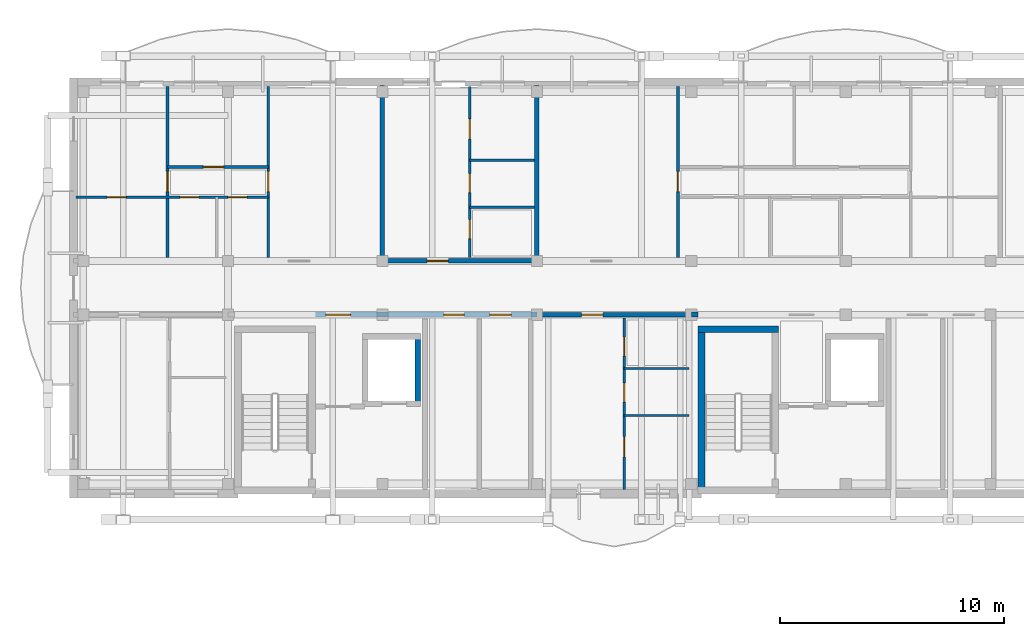
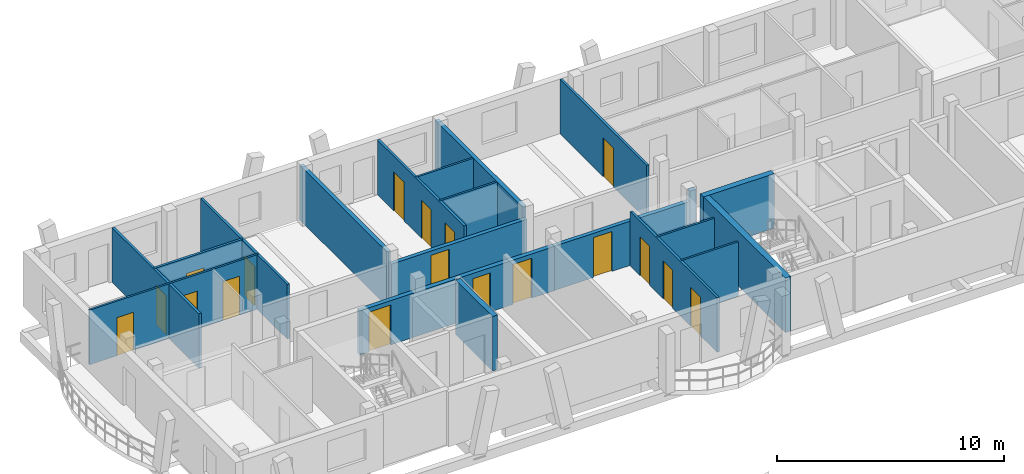
# One storey, part 25 of 50: 20 walls, 18 doors, 18 openings.
"""IFC4 building model written with IfcOpenShell, lengths in metres."""

from ifc_helpers import new_model, si_unit, direction, frame, frame_2d, origin, origin_with_axes, place, context, subcontext, project, spatial, rectangle, extrude, material, layer, layer_set, type_object, element, fill, save


model = new_model("IFC4")

# Units and contexts
model_context = context("Model", 3, precision=1e-05, world=origin(), true_north=direction((0.0, 1.0)))
body_context = subcontext(model_context, "Body", "Model", "MODEL_VIEW")
ifc_project = project(units=[si_unit("LENGTHUNIT", "METRE"), si_unit("AREAUNIT", "SQUARE_METRE"), si_unit("VOLUMEUNIT", "CUBIC_METRE"), si_unit("PLANEANGLEUNIT", "RADIAN"), si_unit("MASSUNIT", "GRAM", prefix="KILO")], contexts=[model_context])

# Site, building, storey
site_placement = place(None, origin())
site = spatial("IfcSite", under=ifc_project, at=site_placement, CompositionType="ELEMENT")
building_placement = place(site_placement, origin())
building = spatial("IfcBuilding", under=site, at=building_placement, Name="Zavelmont Quarter", CompositionType="ELEMENT")
storey_placement = place(building_placement, frame((0.0, 0.0, 11.199951171875)))
storey = spatial("IfcBuildingStorey", under=building, at=storey_placement, Name="L03", CompositionType="ELEMENT", Elevation=11.199951171875)

# Walls
ifc_material_1 = material(Name="Calcium-silicate blockwork and acoustic plaster", Category="masonry")
ifc_layer_1 = layer(ifc_material_1, 0.199951171875)
ifc_layer_set_1 = layer_set([ifc_layer_1], Name="Calcium-silicate blockwork and acoustic plaster")
wall_type_1 = type_object("IfcWallType", Name="IW01", PredefinedType="PARTITIONING", material=ifc_layer_set_1)
for number, where, z_axis, x_axis, name in (
    (1, (13.800048828125, 108.14990234375, 0.0), (0.0, 0.0, 1.0), (0.0, 1.0, 0.0), "L03 Inter-dwelling compartment wall IW01"),
    (2, (20.699951171875, 108.14990234375, 0.0), (0.0, 0.0, 1.0), (0.0, 1.0, 0.0), "L03 Inter-dwelling compartment wall IW01"),
):
    element("IfcWall", number, at=place(storey_placement, frame(where, z_axis=z_axis, x_axis=x_axis)), inside=storey, type_object=wall_type_1, Name=name, PredefinedType="PARTITIONING", context=body_context, shape_type="SweptSolid", body=[
        extrude(rectangle(XDim=7.7001953125, YDim=0.199951171875, at=frame_2d((3.85009765625, 0.0))), origin(), (0.0, 0.0, 1.0), 2.93994140625),
    ])

# Wall, opening, door
wall_1_placement = place(storey_placement, frame((13.800048828125, 108.0, 0.0), z_axis=(0.0, 0.0, 1.0), x_axis=(1.0, 0.0, 0.0)))
wall_1 = element("IfcWall", 3, at=wall_1_placement, inside=storey, type_object=wall_type_1, Name="L03 Corridor compartment wall IW01", PredefinedType="PARTITIONING", context=body_context, shape_type="SweptSolid", body=[
    extrude(rectangle(XDim=6.89990234375, YDim=0.199951171875, at=frame_2d((3.449951171875, 0.0))), origin(), (0.0, 0.0, 1.0), 2.380126953125),
])
opening_1_placement = place(wall_1_placement, frame((2.0, 0.0, 0.0)))
opening_1 = element("IfcOpeningElement", 4, at=opening_1_placement, cuts=wall_1, Name="Opening DR02", PredefinedType="OPENING", context=body_context, shape_type="SweptSolid", body=[
    extrude(rectangle(XDim=0.949951171875, YDim=2.14990234375, at=frame_2d((0.47509765625, 1.074951171875))), frame((0.0, 0.11181640625, 0.0), z_axis=(0.0, -1.0, 0.0), x_axis=(1.0, 0.0, 0.0)), (0.0, 0.0, 1.0), 0.223876953125),
])
ifc_material_2 = material(Name="Solid-core oak fire leaf in steel frame", Category="steel")
door_type_1 = type_object("IfcDoorType", Name="DR02", OperationType="NOTDEFINED", PredefinedType="DOOR", material=ifc_material_2)
door_1_placement = place(opening_1_placement, origin_with_axes())
door_1 = element("IfcDoor", 5, at=door_1_placement, inside=storey, type_object=door_type_1, Name="L03 door DR02", OperationType="SINGLE_SWING_LEFT", OverallHeight=2.14990234375, OverallWidth=0.949951171875, PredefinedType="DOOR", context=body_context, shape_type="SweptSolid", body=[
    extrude(rectangle(XDim=0.949951171875, YDim=2.14990234375, at=frame_2d((0.47509765625, 1.074951171875))), frame((0.0, 0.02490234375, 0.0), z_axis=(0.0, -1.0, 0.0), x_axis=(1.0, 0.0, 0.0)), (0.0, 0.0, 1.0), 0.050048828125),
])
fill(opening_1, door_1)

wall_2_placement = place(storey_placement, frame((20.699951171875, 105.60009765625, 0.0), z_axis=(0.0, 0.0, 1.0), x_axis=(1.0, 0.0, 0.0)))
wall_2 = element("IfcWall", 6, at=wall_2_placement, inside=storey, type_object=wall_type_1, Name="L03 Corridor compartment wall IW01", PredefinedType="PARTITIONING", context=body_context, shape_type="SweptSolid", body=[
    extrude(rectangle(XDim=6.900146484375, YDim=0.199951171875, at=frame_2d((3.4501953125, 0.0))), origin(), (0.0, 0.0, 1.0), 2.380126953125),
])
opening_2_placement = place(wall_2_placement, frame((2.0, 0.0, 0.0)))
opening_2 = element("IfcOpeningElement", 7, at=opening_2_placement, cuts=wall_2, Name="Opening DR02", PredefinedType="OPENING", context=body_context, shape_type="SweptSolid", body=[
    extrude(rectangle(XDim=0.949951171875, YDim=2.14990234375, at=frame_2d((0.47509765625, 1.074951171875))), frame((0.0, 0.11181640625, 0.0), z_axis=(0.0, -1.0, 0.0), x_axis=(1.0, 0.0, 0.0)), (0.0, 0.0, 1.0), 0.223876953125),
])
door_2_placement = place(opening_2_placement, frame((0.949951171875, 0.0, 0.0), z_axis=(0.0, 0.0, 1.0), x_axis=(-1.0, 0.0, 0.0)))
door_2 = element("IfcDoor", 8, at=door_2_placement, inside=storey, type_object=door_type_1, Name="L03 door DR02", OperationType="SINGLE_SWING_RIGHT", OverallHeight=2.14990234375, OverallWidth=0.949951171875, PredefinedType="DOOR", context=body_context, shape_type="SweptSolid", body=[
    extrude(rectangle(XDim=0.949951171875, YDim=2.14990234375, at=frame_2d((0.47509765625, 1.074951171875))), frame((0.0, 0.02490234375, 0.0), z_axis=(0.0, -1.0, 0.0), x_axis=(1.0, 0.0, 0.0)), (0.0, 0.0, 1.0), 0.050048828125),
])
fill(opening_2, door_2)

# Wall, openings, doors
ifc_material_3 = material(Name="Reinforced masonry fire compartment wall", Category="masonry")
ifc_layer_2 = layer(ifc_material_3, 0.22509765625)
ifc_layer_set_2 = layer_set([ifc_layer_2], Name="Reinforced masonry fire compartment wall")
wall_type_2 = type_object("IfcWallType", Name="IW02", PredefinedType="PARTITIONING", material=ifc_layer_set_2)
wall_3_placement = place(storey_placement, frame((10.800048828125, 105.60009765625, 0.0), z_axis=(0.0, 0.0, 1.0), x_axis=(1.0, 0.0, 0.0)))
wall_3 = element("IfcWall", 9, at=wall_3_placement, inside=storey, type_object=wall_type_2, Name="L03 Core corridor fire wall IW02", PredefinedType="PARTITIONING", context=body_context, shape_type="SweptSolid", body=[
    extrude(rectangle(XDim=9.89990234375, YDim=0.22509765625, at=frame_2d((4.949951171875, 0.0))), origin(), (0.0, 0.0, 1.0), 2.380126953125),
])
opening_3_placement = place(wall_3_placement, frame((0.47509765625, 0.0, 0.0)))
opening_3 = element("IfcOpeningElement", 10, at=opening_3_placement, cuts=wall_3, Name="Opening DR10", PredefinedType="OPENING", context=body_context, shape_type="SweptSolid", body=[
    extrude(rectangle(XDim=1.10009765625, YDim=2.14990234375, at=frame_2d((0.550048828125, 1.074951171875))), frame((0.0, 0.12451171875, 0.0), z_axis=(0.0, -1.0, 0.0), x_axis=(1.0, 0.0, 0.0)), (0.0, 0.0, 1.0), 0.2490234375),
])
opening_4_placement = place(wall_3_placement, frame((5.75, 0.0, 0.0)))
opening_4 = element("IfcOpeningElement", 11, at=opening_4_placement, cuts=wall_3, Name="Opening DR11", PredefinedType="OPENING", context=body_context, shape_type="SweptSolid", body=[
    extrude(rectangle(XDim=0.89990234375, YDim=2.10009765625, at=frame_2d((0.449951171875, 1.050048828125))), frame((0.0, 0.12451171875, 0.0), z_axis=(0.0, -1.0, 0.0), x_axis=(1.0, 0.0, 0.0)), (0.0, 0.0, 1.0), 0.2490234375),
])
opening_5_placement = place(wall_3_placement, frame((7.800048828125, 0.0, 0.0)))
opening_5 = element("IfcOpeningElement", 12, at=opening_5_placement, cuts=wall_3, Name="Opening DR02", PredefinedType="OPENING", context=body_context, shape_type="SweptSolid", body=[
    extrude(rectangle(XDim=0.949951171875, YDim=2.14990234375, at=frame_2d((0.47509765625, 1.074951171875))), frame((0.0, 0.12451171875, 0.0), z_axis=(0.0, -1.0, 0.0), x_axis=(1.0, 0.0, 0.0)), (0.0, 0.0, 1.0), 0.2490234375),
])
door_3_placement = place(opening_5_placement, origin_with_axes())
door_3 = element("IfcDoor", 13, at=door_3_placement, inside=storey, type_object=door_type_1, Name="Auxiliary store corridor door", OperationType="SINGLE_SWING_RIGHT", OverallHeight=2.14990234375, OverallWidth=0.949951171875, PredefinedType="DOOR", context=body_context, shape_type="SweptSolid", body=[
    extrude(rectangle(XDim=0.949951171875, YDim=2.14990234375, at=frame_2d((0.47509765625, 1.074951171875))), frame((0.0, 0.02490234375, 0.0), z_axis=(0.0, -1.0, 0.0), x_axis=(1.0, 0.0, 0.0)), (0.0, 0.0, 1.0), 0.050048828125),
])
fill(opening_5, door_3)
ifc_material_4 = material(Name="Painted steel lobby fire door", Category="steel")
door_type_2 = type_object("IfcDoorType", Name="DR10", OperationType="NOTDEFINED", PredefinedType="DOOR", material=ifc_material_4)
door_4_placement = place(opening_3_placement, frame((1.10009765625, 0.0, 0.0), z_axis=(0.0, 0.0, 1.0), x_axis=(-1.0, 0.0, 0.0)))
door_4 = element("IfcDoor", 14, at=door_4_placement, inside=storey, type_object=door_type_2, Name="Core vestibule fire door", OperationType="SINGLE_SWING_RIGHT", OverallHeight=2.14990234375, OverallWidth=1.10009765625, PredefinedType="DOOR", context=body_context, shape_type="SweptSolid", body=[
    extrude(rectangle(XDim=1.10009765625, YDim=2.14990234375, at=frame_2d((0.550048828125, 1.074951171875))), frame((0.0, 0.02490234375, 0.0), z_axis=(0.0, -1.0, 0.0), x_axis=(1.0, 0.0, 0.0)), (0.0, 0.0, 1.0), 0.050048828125),
])
fill(opening_3, door_4)
ifc_material_5 = material(Name="Painted steel service-riser fire door", Category="steel")
door_type_3 = type_object("IfcDoorType", Name="DR11", OperationType="NOTDEFINED", PredefinedType="DOOR", material=ifc_material_5)
door_5_placement = place(opening_4_placement, origin_with_axes())
door_5 = element("IfcDoor", 15, at=door_5_placement, inside=storey, type_object=door_type_3, Name="Service riser fire door", OperationType="SINGLE_SWING_LEFT", OverallHeight=2.10009765625, OverallWidth=0.89990234375, PredefinedType="DOOR", context=body_context, shape_type="SweptSolid", body=[
    extrude(rectangle(XDim=0.89990234375, YDim=2.10009765625, at=frame_2d((0.449951171875, 1.050048828125))), frame((0.0, 0.02490234375, 0.0), z_axis=(0.0, -1.0, 0.0), x_axis=(1.0, 0.0, 0.0)), (0.0, 0.0, 1.0), 0.050048828125),
])
fill(opening_4, door_5)

# Wall
wall_4_placement = place(storey_placement, frame((27.60009765625, 105.60009765625, 0.0), z_axis=(0.0, 0.0, 1.0), x_axis=(1.0, 0.0, 0.0)))
element("IfcWall", 16, at=wall_4_placement, inside=storey, type_object=wall_type_2, Name="L03 Core corridor wall IW02", PredefinedType="PARTITIONING", context=body_context, shape_type="SweptSolid", body=[
    extrude(rectangle(XDim=0.2998046875, YDim=0.22509765625, at=frame_2d((0.14990234375, 0.0))), origin(), (0.0, 0.0, 1.0), 2.93994140625),
])

# Wall, opening, door
ifc_material_6 = material(Name="Double gypsum board on acoustic steel stud", Category="steel")
ifc_layer_3 = layer(ifc_material_6, 0.125)
ifc_layer_set_3 = layer_set([ifc_layer_3], Name="Double gypsum board on acoustic steel stud")
wall_type_3 = type_object("IfcWallType", Name="IW03", PredefinedType="PARTITIONING", material=ifc_layer_set_3)
wall_5_placement = place(storey_placement, frame((8.699951171875, 108.14990234375, 0.0), z_axis=(0.0, 0.0, 1.0), x_axis=(0.0, 1.0, 0.0)))
wall_5 = element("IfcWall", 17, at=wall_5_placement, inside=storey, type_object=wall_type_3, Name="L03 Partition IW03", PredefinedType="PARTITIONING", context=body_context, shape_type="SweptSolid", body=[
    extrude(rectangle(XDim=7.650146484375, YDim=0.125, at=frame_2d((3.8251953125, 0.0))), origin(), (0.0, 0.0, 1.0), 2.93994140625),
])
opening_6_placement = place(wall_5_placement, frame((2.949951171875, 0.0, 0.0)))
opening_6 = element("IfcOpeningElement", 18, at=opening_6_placement, cuts=wall_5, Name="Opening DR05", PredefinedType="OPENING", context=body_context, shape_type="SweptSolid", body=[
    extrude(rectangle(XDim=0.89990234375, YDim=2.10009765625, at=frame_2d((0.449951171875, 1.050048828125))), frame((0.0, 0.074462890625, 0.0), z_axis=(0.0, -1.0, 0.0), x_axis=(1.0, 0.0, 0.0)), (0.0, 0.0, 1.0), 0.14892578125),
])
ifc_material_7 = material(Name="Engineered oak flush interior door")
door_type_4 = type_object("IfcDoorType", Name="DR05", OperationType="NOTDEFINED", PredefinedType="DOOR", material=ifc_material_7)
door_6_placement = place(opening_6_placement, frame((0.89990234375, 0.0, 0.0), z_axis=(0.0, 0.0, 1.0), x_axis=(-1.0, 0.0, 0.0)))
door_6 = element("IfcDoor", 19, at=door_6_placement, inside=storey, type_object=door_type_4, Name="L03 door DR05", OperationType="SINGLE_SWING_LEFT", OverallHeight=2.10009765625, OverallWidth=0.89990234375, PredefinedType="DOOR", context=body_context, shape_type="SweptSolid", body=[
    extrude(rectangle(XDim=0.89990234375, YDim=2.10009765625, at=frame_2d((0.449951171875, 1.050048828125))), frame((0.0, 0.02490234375, 0.0), z_axis=(0.0, -1.0, 0.0), x_axis=(1.0, 0.0, 0.0)), (0.0, 0.0, 1.0), 0.050048828125),
])
fill(opening_6, door_6)

wall_6_placement = place(storey_placement, frame((4.199951171875, 108.14990234375, 0.0), z_axis=(0.0, 0.0, 1.0), x_axis=(0.0, 1.0, 0.0)))
wall_6 = element("IfcWall", 20, at=wall_6_placement, inside=storey, type_object=wall_type_3, Name="L03 Partition IW03", PredefinedType="PARTITIONING", context=body_context, shape_type="SweptSolid", body=[
    extrude(rectangle(XDim=7.650146484375, YDim=0.125, at=frame_2d((3.8251953125, 0.0))), origin(), (0.0, 0.0, 1.0), 2.93994140625),
])
opening_7_placement = place(wall_6_placement, frame((2.949951171875, 0.0, 0.0)))
opening_7 = element("IfcOpeningElement", 21, at=opening_7_placement, cuts=wall_6, Name="Opening DR05", PredefinedType="OPENING", context=body_context, shape_type="SweptSolid", body=[
    extrude(rectangle(XDim=0.89990234375, YDim=2.10009765625, at=frame_2d((0.449951171875, 1.050048828125))), frame((0.0, 0.074462890625, 0.0), z_axis=(0.0, -1.0, 0.0), x_axis=(1.0, 0.0, 0.0)), (0.0, 0.0, 1.0), 0.14892578125),
])
door_7_placement = place(opening_7_placement, origin_with_axes())
door_7 = element("IfcDoor", 22, at=door_7_placement, inside=storey, type_object=door_type_4, Name="L03 door DR05", OperationType="SINGLE_SWING_RIGHT", OverallHeight=2.10009765625, OverallWidth=0.89990234375, PredefinedType="DOOR", context=body_context, shape_type="SweptSolid", body=[
    extrude(rectangle(XDim=0.89990234375, YDim=2.10009765625, at=frame_2d((0.449951171875, 1.050048828125))), frame((0.0, 0.02490234375, 0.0), z_axis=(0.0, -1.0, 0.0), x_axis=(1.0, 0.0, 0.0)), (0.0, 0.0, 1.0), 0.050048828125),
])
fill(opening_7, door_7)

wall_7_placement = place(storey_placement, frame((4.199951171875, 112.199951171875, 0.0), z_axis=(0.0, 0.0, 1.0), x_axis=(1.0, 0.0, 0.0)))
wall_7 = element("IfcWall", 23, at=wall_7_placement, inside=storey, type_object=wall_type_3, Name="L03 Partition IW03", PredefinedType="PARTITIONING", context=body_context, shape_type="SweptSolid", body=[
    extrude(rectangle(XDim=4.5, YDim=0.125, at=frame_2d((2.25, 0.0))), origin(), (0.0, 0.0, 1.0), 2.93994140625),
])
opening_8_placement = place(wall_7_placement, frame((1.60009765625, 0.0, 0.0)))
opening_8 = element("IfcOpeningElement", 24, at=opening_8_placement, cuts=wall_7, Name="Opening DR05", PredefinedType="OPENING", context=body_context, shape_type="SweptSolid", body=[
    extrude(rectangle(XDim=0.89990234375, YDim=2.10009765625, at=frame_2d((0.449951171875, 1.050048828125))), frame((0.0, 0.074462890625, 0.0), z_axis=(0.0, -1.0, 0.0), x_axis=(1.0, 0.0, 0.0)), (0.0, 0.0, 1.0), 0.14892578125),
])
door_8_placement = place(opening_8_placement, origin_with_axes())
door_8 = element("IfcDoor", 25, at=door_8_placement, inside=storey, type_object=door_type_4, Name="L03 door DR05", OperationType="SINGLE_SWING_RIGHT", OverallHeight=2.10009765625, OverallWidth=0.89990234375, PredefinedType="DOOR", context=body_context, shape_type="SweptSolid", body=[
    extrude(rectangle(XDim=0.89990234375, YDim=2.10009765625, at=frame_2d((0.449951171875, 1.050048828125))), frame((0.0, 0.02490234375, 0.0), z_axis=(0.0, -1.0, 0.0), x_axis=(1.0, 0.0, 0.0)), (0.0, 0.0, 1.0), 0.050048828125),
])
fill(opening_8, door_8)

# Wall, openings, doors
wall_8_placement = place(storey_placement, frame((17.699951171875, 108.14990234375, 0.0), z_axis=(0.0, 0.0, 1.0), x_axis=(0.0, 1.0, 0.0)))
wall_8 = element("IfcWall", 26, at=wall_8_placement, inside=storey, type_object=wall_type_3, Name="L03 Partition IW03", PredefinedType="PARTITIONING", context=body_context, shape_type="SweptSolid", body=[
    extrude(rectangle(XDim=7.650146484375, YDim=0.125, at=frame_2d((3.8251953125, 0.0))), origin(), (0.0, 0.0, 1.0), 2.93994140625),
])
opening_9_placement = place(wall_8_placement, frame((0.85009765625, 0.0, 0.0)))
opening_9 = element("IfcOpeningElement", 27, at=opening_9_placement, cuts=wall_8, Name="Opening DR16", PredefinedType="OPENING", context=body_context, shape_type="SweptSolid", body=[
    extrude(rectangle(XDim=0.85009765625, YDim=2.10009765625, at=frame_2d((0.425048828125, 1.050048828125))), frame((0.0, 0.074462890625, 0.0), z_axis=(0.0, -1.0, 0.0), x_axis=(1.0, 0.0, 0.0)), (0.0, 0.0, 1.0), 0.14892578125),
])
opening_10_placement = place(wall_8_placement, frame((2.89990234375, 0.0, 0.0)))
opening_10 = element("IfcOpeningElement", 28, at=opening_10_placement, cuts=wall_8, Name="Opening DR06", PredefinedType="OPENING", context=body_context, shape_type="SweptSolid", body=[
    extrude(rectangle(XDim=0.85009765625, YDim=2.050048828125, at=frame_2d((0.425048828125, 1.02490234375))), frame((0.0, 0.074462890625, 0.0), z_axis=(0.0, -1.0, 0.0), x_axis=(1.0, 0.0, 0.0)), (0.0, 0.0, 1.0), 0.14892578125),
])
opening_11_placement = place(wall_8_placement, frame((5.300048828125, 0.0, 0.0)))
opening_11 = element("IfcOpeningElement", 29, at=opening_11_placement, cuts=wall_8, Name="Opening DR05", PredefinedType="OPENING", context=body_context, shape_type="SweptSolid", body=[
    extrude(rectangle(XDim=0.89990234375, YDim=2.10009765625, at=frame_2d((0.449951171875, 1.050048828125))), frame((0.0, 0.074462890625, 0.0), z_axis=(0.0, -1.0, 0.0), x_axis=(1.0, 0.0, 0.0)), (0.0, 0.0, 1.0), 0.14892578125),
])
door_9_placement = place(opening_11_placement, origin_with_axes())
door_9 = element("IfcDoor", 30, at=door_9_placement, inside=storey, type_object=door_type_4, Name="L03 door DR05", OperationType="SINGLE_SWING_LEFT", OverallHeight=2.10009765625, OverallWidth=0.89990234375, PredefinedType="DOOR", context=body_context, shape_type="SweptSolid", body=[
    extrude(rectangle(XDim=0.89990234375, YDim=2.10009765625, at=frame_2d((0.449951171875, 1.050048828125))), frame((0.0, 0.02490234375, 0.0), z_axis=(0.0, -1.0, 0.0), x_axis=(1.0, 0.0, 0.0)), (0.0, 0.0, 1.0), 0.050048828125),
])
fill(opening_11, door_9)
ifc_material_8 = material(Name="Moisture-resistant painted wet-room door")
door_type_5 = type_object("IfcDoorType", Name="DR06", OperationType="NOTDEFINED", PredefinedType="DOOR", material=ifc_material_8)
door_10_placement = place(opening_10_placement, frame((0.85009765625, 0.0, 0.0), z_axis=(0.0, 0.0, 1.0), x_axis=(-1.0, 0.0, 0.0)))
door_10 = element("IfcDoor", 31, at=door_10_placement, inside=storey, type_object=door_type_5, Name="L03 door DR06", OperationType="SINGLE_SWING_RIGHT", OverallHeight=2.050048828125, OverallWidth=0.85009765625, PredefinedType="DOOR", context=body_context, shape_type="SweptSolid", body=[
    extrude(rectangle(XDim=0.85009765625, YDim=2.050048828125, at=frame_2d((0.425048828125, 1.02490234375))), frame((0.0, 0.02490234375, 0.0), z_axis=(0.0, -1.0, 0.0), x_axis=(1.0, 0.0, 0.0)), (0.0, 0.0, 1.0), 0.050048828125),
])
fill(opening_10, door_10)
door_type_6 = type_object("IfcDoorType", Name="DR16", OperationType="NOTDEFINED", PredefinedType="DOOR", material=ifc_material_7)
door_11_placement = place(opening_9_placement, origin_with_axes())
door_11 = element("IfcDoor", 32, at=door_11_placement, inside=storey, type_object=door_type_6, Name="L03 door DR16", OperationType="SINGLE_SWING_LEFT", OverallHeight=2.10009765625, OverallWidth=0.85009765625, PredefinedType="DOOR", context=body_context, shape_type="SweptSolid", body=[
    extrude(rectangle(XDim=0.85009765625, YDim=2.10009765625, at=frame_2d((0.425048828125, 1.050048828125))), frame((0.0, 0.02490234375, 0.0), z_axis=(0.0, -1.0, 0.0), x_axis=(1.0, 0.0, 0.0)), (0.0, 0.0, 1.0), 0.050048828125),
])
fill(opening_9, door_11)

# Wall, opening, door
wall_9_placement = place(storey_placement, frame((27.0, 108.14990234375, 0.0), z_axis=(0.0, 0.0, 1.0), x_axis=(0.0, 1.0, 0.0)))
wall_9 = element("IfcWall", 33, at=wall_9_placement, inside=storey, type_object=wall_type_3, Name="L03 Partition IW03", PredefinedType="PARTITIONING", context=body_context, shape_type="SweptSolid", body=[
    extrude(rectangle(XDim=7.650146484375, YDim=0.125, at=frame_2d((3.8251953125, 0.0))), origin(), (0.0, 0.0, 1.0), 2.93994140625),
])
opening_12_placement = place(wall_9_placement, frame((2.949951171875, 0.0, 0.0)))
opening_12 = element("IfcOpeningElement", 34, at=opening_12_placement, cuts=wall_9, Name="Opening DR05", PredefinedType="OPENING", context=body_context, shape_type="SweptSolid", body=[
    extrude(rectangle(XDim=0.89990234375, YDim=2.10009765625, at=frame_2d((0.449951171875, 1.050048828125))), frame((0.0, 0.074462890625, 0.0), z_axis=(0.0, -1.0, 0.0), x_axis=(1.0, 0.0, 0.0)), (0.0, 0.0, 1.0), 0.14892578125),
])
door_12_placement = place(opening_12_placement, origin_with_axes())
door_12 = element("IfcDoor", 35, at=door_12_placement, inside=storey, type_object=door_type_4, Name="L03 door DR05", OperationType="SINGLE_SWING_RIGHT", OverallHeight=2.10009765625, OverallWidth=0.89990234375, PredefinedType="DOOR", context=body_context, shape_type="SweptSolid", body=[
    extrude(rectangle(XDim=0.89990234375, YDim=2.10009765625, at=frame_2d((0.449951171875, 1.050048828125))), frame((0.0, 0.02490234375, 0.0), z_axis=(0.0, -1.0, 0.0), x_axis=(1.0, 0.0, 0.0)), (0.0, 0.0, 1.0), 0.050048828125),
])
fill(opening_12, door_12)

# Wall, openings, doors
wall_10_placement = place(storey_placement, frame((24.60009765625, 105.449951171875, 0.0), z_axis=(0.0, 0.0, 1.0), x_axis=(0.0, -1.0, 0.0)))
wall_10 = element("IfcWall", 36, at=wall_10_placement, inside=storey, type_object=wall_type_3, Name="L03 Partition IW03", PredefinedType="PARTITIONING", context=body_context, shape_type="SweptSolid", body=[
    extrude(rectangle(XDim=7.64990234375, YDim=0.125, at=frame_2d((3.824951171875, 0.0))), origin(), (0.0, 0.0, 1.0), 2.93994140625),
])
opening_13_placement = place(wall_10_placement, frame((0.85009765625, 0.0, 0.0)))
opening_13 = element("IfcOpeningElement", 37, at=opening_13_placement, cuts=wall_10, Name="Opening DR16", PredefinedType="OPENING", context=body_context, shape_type="SweptSolid", body=[
    extrude(rectangle(XDim=0.85009765625, YDim=2.10009765625, at=frame_2d((0.425048828125, 1.050048828125))), frame((0.0, 0.074462890625, 0.0), z_axis=(0.0, -1.0, 0.0), x_axis=(1.0, 0.0, 0.0)), (0.0, 0.0, 1.0), 0.14892578125),
])
opening_14_placement = place(wall_10_placement, frame((2.89990234375, 0.0, 0.0)))
opening_14 = element("IfcOpeningElement", 38, at=opening_14_placement, cuts=wall_10, Name="Opening DR06", PredefinedType="OPENING", context=body_context, shape_type="SweptSolid", body=[
    extrude(rectangle(XDim=0.85009765625, YDim=2.050048828125, at=frame_2d((0.425048828125, 1.02490234375))), frame((0.0, 0.074462890625, 0.0), z_axis=(0.0, -1.0, 0.0), x_axis=(1.0, 0.0, 0.0)), (0.0, 0.0, 1.0), 0.14892578125),
])
opening_15_placement = place(wall_10_placement, frame((5.300048828125, 0.0, 0.0)))
opening_15 = element("IfcOpeningElement", 39, at=opening_15_placement, cuts=wall_10, Name="Opening DR05", PredefinedType="OPENING", context=body_context, shape_type="SweptSolid", body=[
    extrude(rectangle(XDim=0.89990234375, YDim=2.10009765625, at=frame_2d((0.449951171875, 1.050048828125))), frame((0.0, 0.074462890625, 0.0), z_axis=(0.0, -1.0, 0.0), x_axis=(1.0, 0.0, 0.0)), (0.0, 0.0, 1.0), 0.14892578125),
])
door_13_placement = place(opening_15_placement, origin_with_axes())
door_13 = element("IfcDoor", 40, at=door_13_placement, inside=storey, type_object=door_type_4, Name="L03 door DR05", OperationType="SINGLE_SWING_RIGHT", OverallHeight=2.10009765625, OverallWidth=0.89990234375, PredefinedType="DOOR", context=body_context, shape_type="SweptSolid", body=[
    extrude(rectangle(XDim=0.89990234375, YDim=2.10009765625, at=frame_2d((0.449951171875, 1.050048828125))), frame((0.0, 0.02490234375, 0.0), z_axis=(0.0, -1.0, 0.0), x_axis=(1.0, 0.0, 0.0)), (0.0, 0.0, 1.0), 0.050048828125),
])
fill(opening_15, door_13)
door_14_placement = place(opening_14_placement, frame((0.85009765625, 0.0, 0.0), z_axis=(0.0, 0.0, 1.0), x_axis=(-1.0, 0.0, 0.0)))
door_14 = element("IfcDoor", 41, at=door_14_placement, inside=storey, type_object=door_type_5, Name="L03 door DR06", OperationType="SINGLE_SWING_LEFT", OverallHeight=2.050048828125, OverallWidth=0.85009765625, PredefinedType="DOOR", context=body_context, shape_type="SweptSolid", body=[
    extrude(rectangle(XDim=0.85009765625, YDim=2.050048828125, at=frame_2d((0.425048828125, 1.02490234375))), frame((0.0, 0.02490234375, 0.0), z_axis=(0.0, -1.0, 0.0), x_axis=(1.0, 0.0, 0.0)), (0.0, 0.0, 1.0), 0.050048828125),
])
fill(opening_14, door_14)
door_15_placement = place(opening_13_placement, origin_with_axes())
door_15 = element("IfcDoor", 42, at=door_15_placement, inside=storey, type_object=door_type_6, Name="L03 door DR16", OperationType="SINGLE_SWING_RIGHT", OverallHeight=2.10009765625, OverallWidth=0.85009765625, PredefinedType="DOOR", context=body_context, shape_type="SweptSolid", body=[
    extrude(rectangle(XDim=0.85009765625, YDim=2.10009765625, at=frame_2d((0.425048828125, 1.050048828125))), frame((0.0, 0.02490234375, 0.0), z_axis=(0.0, -1.0, 0.0), x_axis=(1.0, 0.0, 0.0)), (0.0, 0.0, 1.0), 0.050048828125),
])
fill(opening_13, door_15)

ifc_material_9 = material(Name="Moisture-resistant gypsum board on steel stud", Category="steel")
ifc_layer_4 = layer(ifc_material_9, 0.10009765625)
ifc_layer_set_4 = layer_set([ifc_layer_4], Name="Moisture-resistant gypsum board on steel stud")
wall_type_4 = type_object("IfcWallType", Name="IW04", PredefinedType="PARTITIONING", material=ifc_layer_set_4)
wall_11_placement = place(storey_placement, frame((0.10009765625, 110.85009765625, 0.0), z_axis=(0.0, 0.0, 1.0), x_axis=(1.0, 0.0, 0.0)))
wall_11 = element("IfcWall", 43, at=wall_11_placement, inside=storey, type_object=wall_type_4, Name="L03 Partition IW04", PredefinedType="PARTITIONING", context=body_context, shape_type="SweptSolid", body=[
    extrude(rectangle(XDim=8.599853515625, YDim=0.10009765625, at=frame_2d((4.2998046875, 0.0))), origin(), (0.0, 0.0, 1.0), 2.93994140625),
])
opening_16_placement = place(wall_11_placement, frame((1.39990234375, 0.0, 0.0)))
opening_16 = element("IfcOpeningElement", 44, at=opening_16_placement, cuts=wall_11, Name="Opening DR06", PredefinedType="OPENING", context=body_context, shape_type="SweptSolid", body=[
    extrude(rectangle(XDim=0.85009765625, YDim=2.050048828125, at=frame_2d((0.425048828125, 1.02490234375))), frame((0.0, 0.06201171875, 0.0), z_axis=(0.0, -1.0, 0.0), x_axis=(1.0, 0.0, 0.0)), (0.0, 0.0, 1.0), 0.1240234375),
])
opening_17_placement = place(wall_11_placement, frame((4.64990234375, 0.0, 0.0)))
opening_17 = element("IfcOpeningElement", 45, at=opening_17_placement, cuts=wall_11, Name="Opening DR06", PredefinedType="OPENING", context=body_context, shape_type="SweptSolid", body=[
    extrude(rectangle(XDim=0.85009765625, YDim=2.050048828125, at=frame_2d((0.425048828125, 1.02490234375))), frame((0.0, 0.06201171875, 0.0), z_axis=(0.0, -1.0, 0.0), x_axis=(1.0, 0.0, 0.0)), (0.0, 0.0, 1.0), 0.1240234375),
])
opening_18_placement = place(wall_11_placement, frame((6.800048828125, 0.0, 0.0)))
opening_18 = element("IfcOpeningElement", 46, at=opening_18_placement, cuts=wall_11, Name="Opening DR16", PredefinedType="OPENING", context=body_context, shape_type="SweptSolid", body=[
    extrude(rectangle(XDim=0.85009765625, YDim=2.10009765625, at=frame_2d((0.425048828125, 1.050048828125))), frame((0.0, 0.06201171875, 0.0), z_axis=(0.0, -1.0, 0.0), x_axis=(1.0, 0.0, 0.0)), (0.0, 0.0, 1.0), 0.1240234375),
])
door_16_placement = place(opening_16_placement, frame((0.85009765625, 0.0, 0.0), z_axis=(0.0, 0.0, 1.0), x_axis=(-1.0, 0.0, 0.0)))
door_16 = element("IfcDoor", 47, at=door_16_placement, inside=storey, type_object=door_type_5, Name="L03 door DR06", OperationType="SINGLE_SWING_LEFT", OverallHeight=2.050048828125, OverallWidth=0.85009765625, PredefinedType="DOOR", context=body_context, shape_type="SweptSolid", body=[
    extrude(rectangle(XDim=0.85009765625, YDim=2.050048828125, at=frame_2d((0.425048828125, 1.02490234375))), frame((0.0, 0.02490234375, 0.0), z_axis=(0.0, -1.0, 0.0), x_axis=(1.0, 0.0, 0.0)), (0.0, 0.0, 1.0), 0.050048828125),
])
fill(opening_16, door_16)
door_17_placement = place(opening_17_placement, origin_with_axes())
door_17 = element("IfcDoor", 48, at=door_17_placement, inside=storey, type_object=door_type_5, Name="L03 door DR06", OperationType="SINGLE_SWING_RIGHT", OverallHeight=2.050048828125, OverallWidth=0.85009765625, PredefinedType="DOOR", context=body_context, shape_type="SweptSolid", body=[
    extrude(rectangle(XDim=0.85009765625, YDim=2.050048828125, at=frame_2d((0.425048828125, 1.02490234375))), frame((0.0, 0.02490234375, 0.0), z_axis=(0.0, -1.0, 0.0), x_axis=(1.0, 0.0, 0.0)), (0.0, 0.0, 1.0), 0.050048828125),
])
fill(opening_17, door_17)
door_18_placement = place(opening_18_placement, frame((0.85009765625, 0.0, 0.0), z_axis=(0.0, 0.0, 1.0), x_axis=(-1.0, 0.0, 0.0)))
door_18 = element("IfcDoor", 49, at=door_18_placement, inside=storey, type_object=door_type_6, Name="L03 door DR16", OperationType="SINGLE_SWING_LEFT", OverallHeight=2.10009765625, OverallWidth=0.85009765625, PredefinedType="DOOR", context=body_context, shape_type="SweptSolid", body=[
    extrude(rectangle(XDim=0.85009765625, YDim=2.10009765625, at=frame_2d((0.425048828125, 1.050048828125))), frame((0.0, 0.02490234375, 0.0), z_axis=(0.0, -1.0, 0.0), x_axis=(1.0, 0.0, 0.0)), (0.0, 0.0, 1.0), 0.050048828125),
])
fill(opening_18, door_18)

# Walls
for number, where, z_axis, x_axis, name in (
    (50, (17.699951171875, 110.39990234375, 0.0), (0.0, 0.0, 1.0), (1.0, 0.0, 0.0), "L03 Partition IW04"),
    (51, (17.699951171875, 112.5, 0.0), (0.0, 0.0, 1.0), (1.0, 0.0, 0.0), "L03 Partition IW04"),
):
    element("IfcWall", number, at=place(storey_placement, frame(where, z_axis=z_axis, x_axis=x_axis)), inside=storey, type_object=wall_type_4, Name=name, PredefinedType="PARTITIONING", context=body_context, shape_type="SweptSolid", body=[
        extrude(rectangle(XDim=2.900146484375, YDim=0.10009765625, at=frame_2d((1.4501953125, 0.0))), origin(), (0.0, 0.0, 1.0), 2.93994140625),
    ])
for number, where, z_axis, x_axis, name in (
    (52, (24.60009765625, 103.199951171875, 0.0), (0.0, 0.0, 1.0), (1.0, 0.0, 0.0), "L03 Partition IW04"),
    (53, (24.60009765625, 101.10009765625, 0.0), (0.0, 0.0, 1.0), (1.0, 0.0, 0.0), "L03 Partition IW04"),
):
    element("IfcWall", number, at=place(storey_placement, frame(where, z_axis=z_axis, x_axis=x_axis)), inside=storey, type_object=wall_type_4, Name=name, PredefinedType="PARTITIONING", context=body_context, shape_type="SweptSolid", body=[
        extrude(rectangle(XDim=2.89990234375, YDim=0.10009765625, at=frame_2d((1.449951171875, 0.0))), origin(), (0.0, 0.0, 1.0), 2.93994140625),
    ])
ifc_material_10 = material(Name="Concrete C40/50", Category="concrete")
ifc_layer_5 = layer(ifc_material_10, 0.300048828125)
ifc_layer_set_5 = layer_set([ifc_layer_5], Name="Concrete C40/50")
wall_type_5 = type_object("IfcWallType", Name="SW01", PredefinedType="SHEAR", material=ifc_layer_set_5)
wall_12_placement = place(storey_placement, frame((27.89990234375, 104.949951171875, 0.0), z_axis=(0.0, 0.0, 1.0), x_axis=(1.0, 0.0, 0.0)))
element("IfcWall", 54, at=wall_12_placement, inside=storey, type_object=wall_type_5, Name="L03 ST04 corridor shear wall SW01", PredefinedType="SHEAR", context=body_context, shape_type="SweptSolid", body=[
    extrude(rectangle(XDim=3.60009765625, YDim=0.300048828125, at=frame_2d((1.800048828125, 0.0))), origin(), (0.0, 0.0, 1.0), 2.93994140625),
])
wall_13_placement = place(storey_placement, frame((28.050048828125, 97.60009765625, 0.0), z_axis=(0.0, 0.0, 1.0), x_axis=(0.0, 1.0, 0.0)))
element("IfcWall", 55, at=wall_13_placement, inside=storey, type_object=wall_type_5, Name="L03 ST04 west shear wall SW01", PredefinedType="SHEAR", context=body_context, shape_type="SweptSolid", body=[
    extrude(rectangle(XDim=7.5, YDim=0.300048828125, at=frame_2d((3.75, 0.0))), origin(), (0.0, 0.0, 1.0), 2.93994140625),
])
ifc_layer_6 = layer(ifc_material_10, 0.25)
ifc_layer_set_6 = layer_set([ifc_layer_6], Name="Concrete C40/50")
wall_type_6 = type_object("IfcWallType", Name="SW02", PredefinedType="SHEAR", material=ifc_layer_set_6)
wall_14_placement = place(storey_placement, frame((15.375, 101.5, 0.0), z_axis=(0.0, 0.0, 1.0), x_axis=(0.0, 1.0, 0.0)))
element("IfcWall", 56, at=wall_14_placement, inside=storey, type_object=wall_type_6, Name="L03 Lift FL02 east shaft wall SW02", PredefinedType="SHEAR", context=body_context, shape_type="SweptSolid", body=[
    extrude(rectangle(XDim=3.25, YDim=0.25, at=frame_2d((1.625, 0.0))), origin(), (0.0, 0.0, 1.0), 2.93994140625),
])

save(model, "model.ifc")
